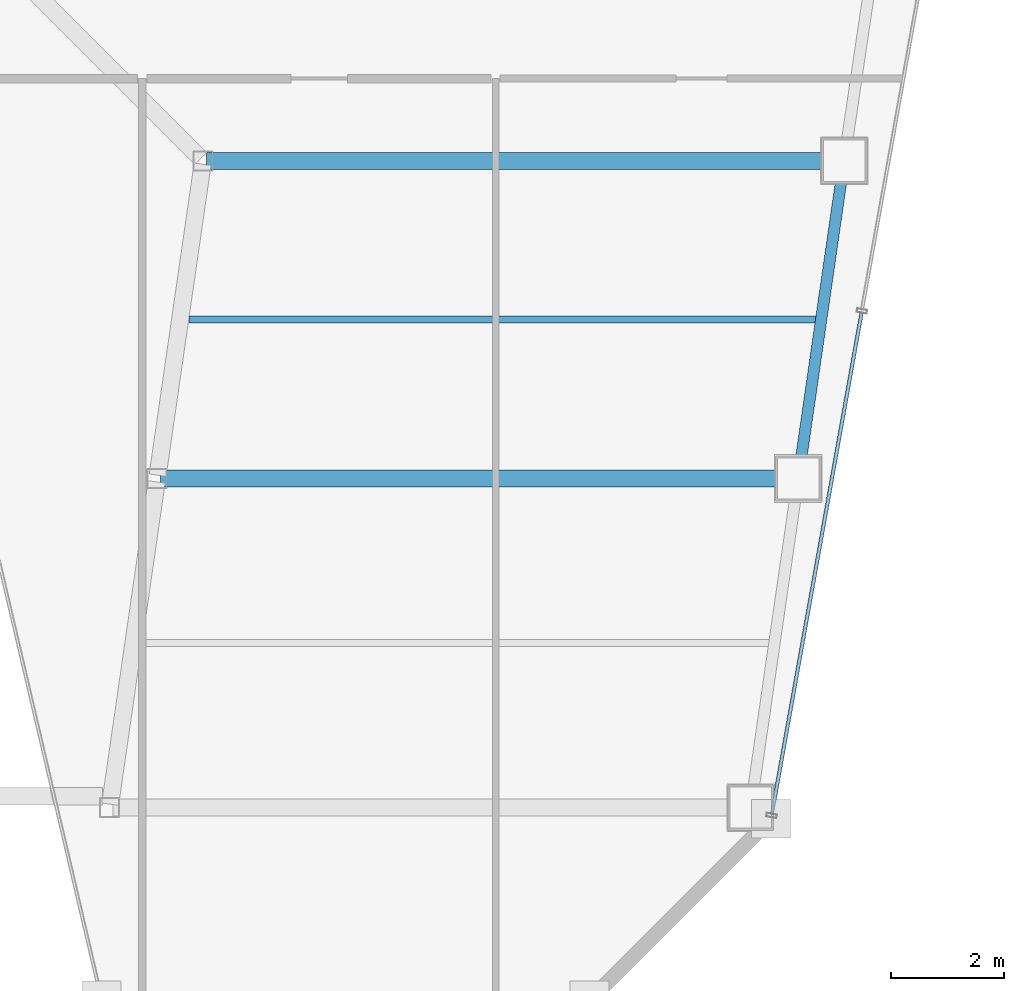
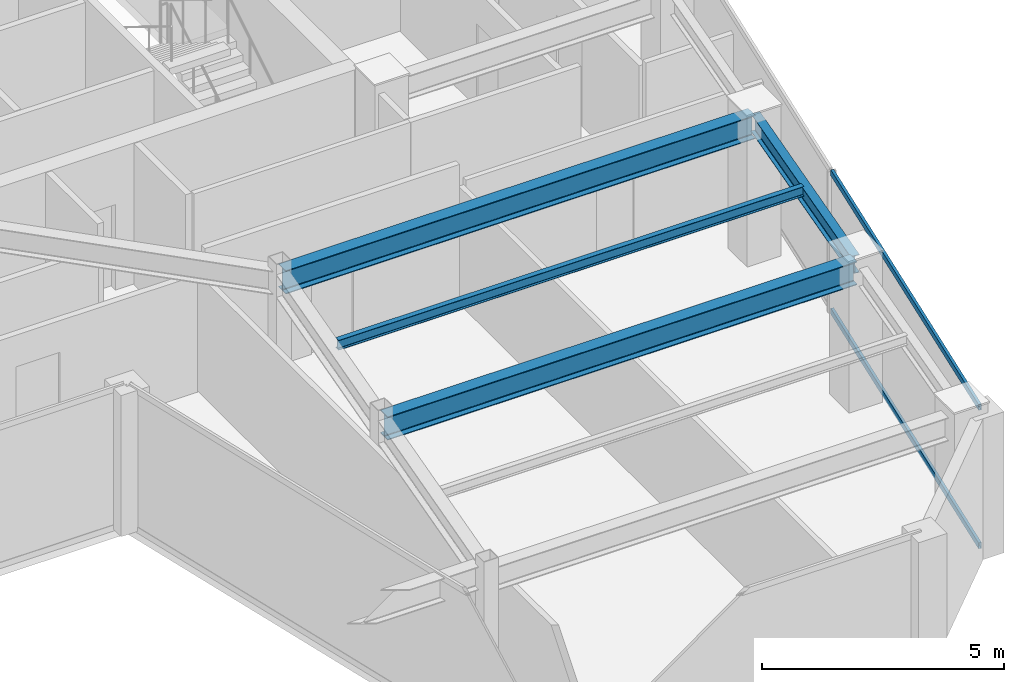
# One storey, part 16 of 32: 4 beams, 2 members, 1 element without a shape of its own.
"""IFC4 building model written with IfcOpenShell, lengths in metres."""

from ifc_helpers import new_model, si_unit, direction, frame, origin, origin_2d, place, context, subcontext, project, spatial, hollow_rectangle, i_section, extrude, material, material_profile, profile_set, type_object, element, aggregate, save


model = new_model("IFC4")

# Units and contexts
model_context = context("Model", 3, precision=1e-05, world=origin(), true_north=direction((0.0, 1.0)))
body_context = subcontext(model_context, "Body", "Model", "MODEL_VIEW")
ifc_project = project(units=[si_unit("LENGTHUNIT", "METRE"), si_unit("AREAUNIT", "SQUARE_METRE"), si_unit("VOLUMEUNIT", "CUBIC_METRE"), si_unit("PLANEANGLEUNIT", "RADIAN"), si_unit("MASSUNIT", "GRAM", prefix="KILO")], contexts=[model_context])

# Site, building, storey
site_placement = place(None, origin())
site = spatial("IfcSite", under=ifc_project, at=site_placement, CompositionType="ELEMENT")
building_placement = place(site_placement, origin())
building = spatial("IfcBuilding", under=site, at=building_placement, Name="Saevonmaru Cultural Tower", CompositionType="ELEMENT")
storey_placement = place(building_placement, frame((0.0, 0.0, 257.199951171875)))
storey = spatial("IfcBuildingStorey", under=building, at=storey_placement, Name="L60", CompositionType="ELEMENT", Elevation=257.199951171875)

# Beams
ifc_material_1 = material(Name="Steel SM355", Category="steel")
ifc_material_profile_1 = material_profile(ifc_material_1, i_section(OverallWidth=0.300048828125, OverallDepth=0.587890625, WebThickness=0.011962890625, FlangeThickness=0.02001953125, FilletRadius=0.02392578125, at=origin_2d()), Name="H-588x300x12x20")
ifc_profile_set_1 = profile_set([ifc_material_profile_1], Name="Steel SM355")
beam_type_1 = type_object("IfcBeamType", Name="BM-G-H588", PredefinedType="BEAM", material=ifc_profile_set_1)
for number, where, z_axis, x_axis, name in (
    (1, (40.443115234375, 32.0, 3.256103515625), (1.0, 0.0, 0.0), (0.0, 1.0, 0.0), "L60 East Wing Transverse Girder 2"),
    (2, (41.251953125, 37.60009765625, 3.256103515625), (1.0, 0.0, 0.0), (0.0, 1.0, 0.0), "L60 East Wing Transverse Girder 3"),
):
    element("IfcBeam", number, at=place(storey_placement, frame(where, z_axis=z_axis, x_axis=x_axis)), inside=storey, type_object=beam_type_1, Name=name, PredefinedType="BEAM", context=body_context, shape_type="SweptSolid", body=[
        extrude(i_section(OverallWidth=0.300048828125, OverallDepth=0.587890625, WebThickness=0.011962890625, FlangeThickness=0.02001953125, FilletRadius=0.02392578125, at=origin_2d()), origin(), (0.0, 0.0, 1.0), 11.179931640625),
    ])
ifc_material_profile_2 = material_profile(ifc_material_1, i_section(OverallWidth=0.125, OverallDepth=0.25, WebThickness=0.006103515625, FlangeThickness=0.009033203125, FilletRadius=0.008056640625, at=origin_2d()), Name="H-250x125x6x9")
ifc_profile_set_2 = profile_set([ifc_material_profile_2], Name="Steel SM355")
beam_type_2 = type_object("IfcBeamType", Name="BM-J-H250", PredefinedType="JOIST", material=ifc_profile_set_2)
beam_1_placement = place(storey_placement, frame((40.945556640625, 34.800048828125, 3.425048828125), z_axis=(1.0, 0.0, 0.0), x_axis=(0.0, 1.0, 0.0)))
element("IfcBeam", 3, at=beam_1_placement, inside=storey, type_object=beam_type_2, Name="L60 East Wing Floor Joist 2", PredefinedType="JOIST", context=body_context, shape_type="SweptSolid", body=[
    extrude(i_section(OverallWidth=0.125, OverallDepth=0.25, WebThickness=0.006103515625, FlangeThickness=0.009033203125, FilletRadius=0.008056640625, at=origin_2d()), origin(), (0.0, 0.0, 1.0), 11.08203125),
])
ifc_material_profile_3 = material_profile(ifc_material_1, i_section(OverallWidth=0.199951171875, OverallDepth=0.449951171875, WebThickness=0.009033203125, FlangeThickness=0.013916015625, FilletRadius=0.01806640625, at=origin_2d()), Name="H-450x200x9x14")
ifc_profile_set_3 = profile_set([ifc_material_profile_3], Name="Steel SM355")
beam_type_3 = type_object("IfcBeamType", Name="BM-SP-H450", PredefinedType="SPANDREL", material=ifc_profile_set_3)
beam_2_placement = place(storey_placement, frame((51.691650390625, 32.059326171875, 3.324951171875), z_axis=(0.142964121327, 0.989727871697, 0.0), x_axis=(-0.989727871697, 0.142964121327, 0.0)))
element("IfcBeam", 4, at=beam_2_placement, inside=storey, type_object=beam_type_3, Name="L60 East Splayed Spandrel 2", PredefinedType="SPANDREL", context=body_context, shape_type="SweptSolid", body=[
    extrude(i_section(OverallWidth=0.199951171875, OverallDepth=0.449951171875, WebThickness=0.009033203125, FlangeThickness=0.013916015625, FilletRadius=0.01806640625, at=origin_2d()), origin(), (0.0, 0.0, 1.0), 5.5380859375),
])

# Curtain wall, members
ifc_material_2 = material(Name="Satin Bronze Anodised Aluminium", Category="aluminium")
curtain_wall_type = type_object("IfcCurtainWallType", Name="CW-TYP-B", PredefinedType="NOTDEFINED", material=ifc_material_2)
curtain_wall_placement = place(storey_placement, origin())
curtain_wall = element("IfcCurtainWall", 5, at=curtain_wall_placement, inside=storey, type_object=curtain_wall_type, Name="L60 Unitised Curtain Wall E8", PredefinedType="NOTDEFINED")
ifc_material_profile_4 = material_profile(ifc_material_2, hollow_rectangle(XDim=0.06494140625, YDim=0.14990234375, WallThickness=0.00390625, at=origin_2d()), Name="ALU-TRAN-150x65x4")
ifc_profile_set_4 = profile_set([ifc_material_profile_4], Name="Satin Bronze Anodised Aluminium")
member_type = type_object("IfcMemberType", Name="TR-CW-150x65", PredefinedType="USERDEFINED", material=ifc_profile_set_4)
member_1_placement = place(storey_placement, frame((51.220703125, 26.091064453125, 0.032470703125), z_axis=(0.176144810911, 0.984364264685, 0.0), x_axis=(-0.984364264685, 0.176144810911, 0.0)))
member_1 = element("IfcMember", 6, at=member_1_placement, type_object=member_type, Name="CW-TW-L60-E8 transom 1.1", ObjectType="TRANSOM", PredefinedType="USERDEFINED", context=body_context, shape_type="SweptSolid", body=[
    extrude(hollow_rectangle(XDim=0.06494140625, YDim=0.14990234375, WallThickness=0.00390625, at=origin_2d()), origin(), (0.0, 0.0, 1.0), 8.97021484375),
])
member_2_placement = place(storey_placement, frame((51.220703125, 26.091064453125, 3.517578125), z_axis=(0.176144810911, 0.984364264685, 0.0), x_axis=(-0.984364264685, 0.176144810911, 0.0)))
member_2 = element("IfcMember", 7, at=member_2_placement, type_object=member_type, Name="CW-TW-L60-E8 transom 1.2", ObjectType="TRANSOM", PredefinedType="USERDEFINED", context=body_context, shape_type="SweptSolid", body=[
    extrude(hollow_rectangle(XDim=0.06494140625, YDim=0.14990234375, WallThickness=0.00390625, at=origin_2d()), origin(), (0.0, 0.0, 1.0), 8.97021484375),
])
aggregate(curtain_wall, [member_1, member_2])

save(model, "model.ifc")
